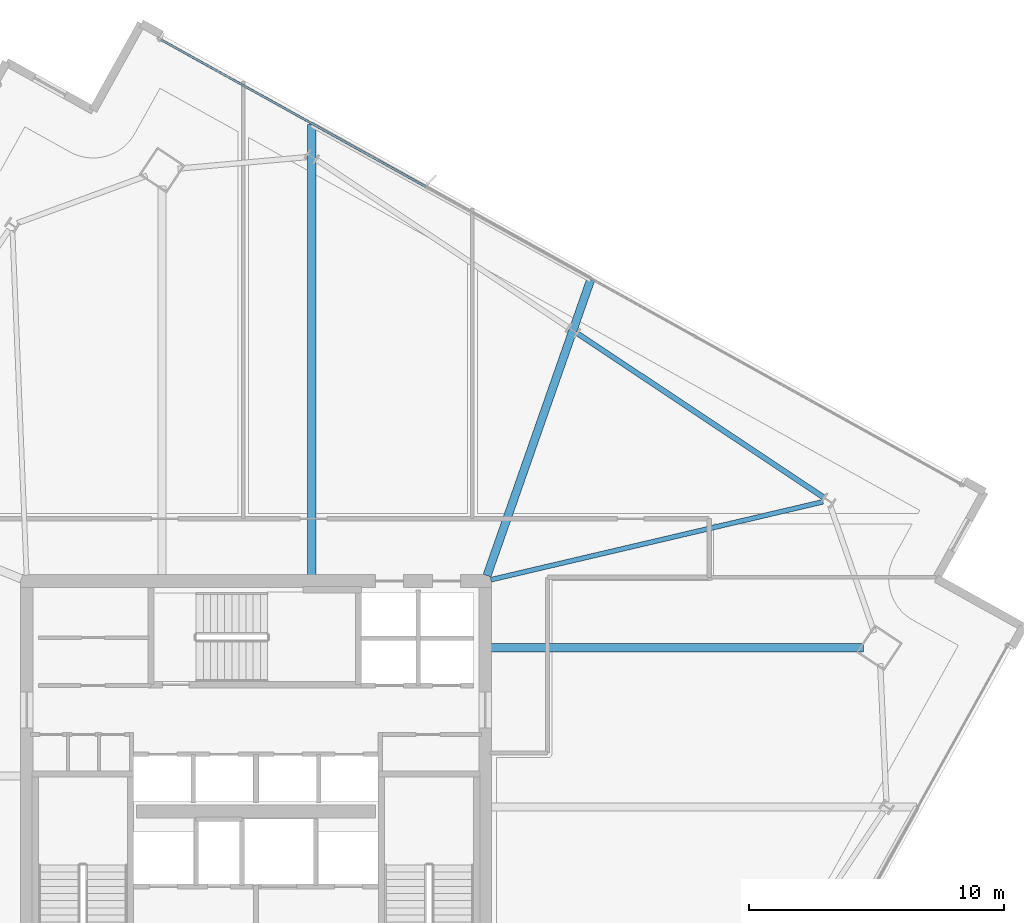
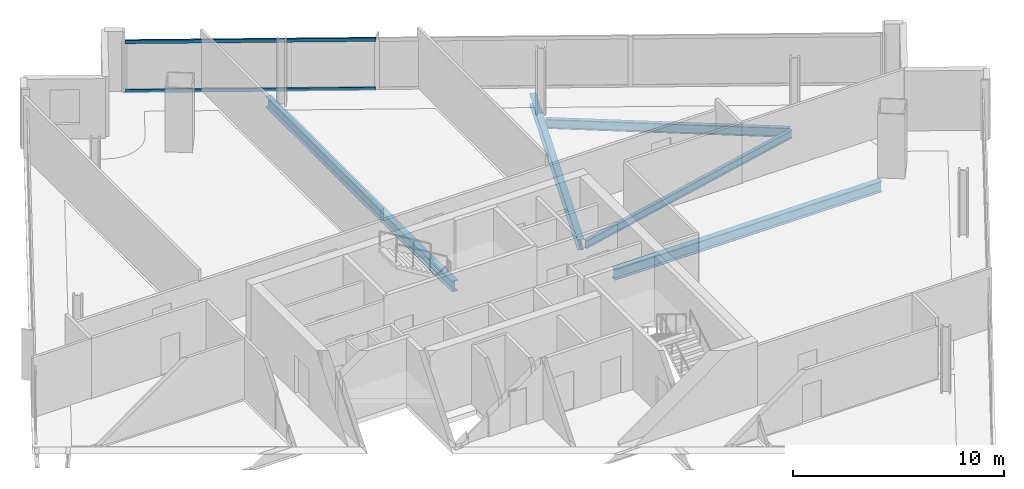
# One storey, part 15 of 28: 5 beams, 2 members, 1 element without a shape of its own.
"""IFC4 building model written with IfcOpenShell, lengths in metres."""

from ifc_helpers import new_model, si_unit, direction, frame, origin, origin_2d, place, context, subcontext, project, spatial, hollow_rectangle, i_section, extrude, material, material_profile, profile_set, type_object, element, aggregate, save


model = new_model("IFC4")

# Units and contexts
model_context = context("Model", 3, precision=1e-05, world=origin(), true_north=direction((0.0, 1.0)))
body_context = subcontext(model_context, "Body", "Model", "MODEL_VIEW")
ifc_project = project(units=[si_unit("LENGTHUNIT", "METRE"), si_unit("AREAUNIT", "SQUARE_METRE"), si_unit("VOLUMEUNIT", "CUBIC_METRE"), si_unit("PLANEANGLEUNIT", "RADIAN"), si_unit("MASSUNIT", "GRAM", prefix="KILO")], contexts=[model_context])

# Site, building, storey
site_placement = place(None, origin())
site = spatial("IfcSite", under=ifc_project, at=site_placement, CompositionType="ELEMENT")
building_placement = place(site_placement, origin())
building = spatial("IfcBuilding", under=site, at=building_placement, Name="Haldenkirk Collegiate Tower", CompositionType="ELEMENT")
storey_placement = place(building_placement, frame((0.0, 0.0, 232.199951171875)))
storey = spatial("IfcBuildingStorey", under=building, at=storey_placement, Name="L58", CompositionType="ELEMENT", Elevation=232.199951171875)

# Beams
ifc_material_1 = material(Name="Steel ASTM A992 Grade 50", Category="steel")
ifc_material_profile_1 = material_profile(ifc_material_1, i_section(OverallWidth=0.324951171875, OverallDepth=0.615966796875, WebThickness=0.013916015625, FlangeThickness=0.021484375, at=origin_2d()), Name="W24X117")
ifc_profile_set_1 = profile_set([ifc_material_profile_1], Name="Steel ASTM A992 Grade 50")
beam_type_1 = type_object("IfcBeamType", Name="BM-GIRDER-W24X117", PredefinedType="BEAM", material=ifc_profile_set_1)
beam_1_placement = place(storey_placement, frame((59.856201171875, 31.3837890625, -0.587890625), z_axis=(-1.0, 0.0, 0.0), x_axis=(0.0, -1.0, 0.0)))
element("IfcBeam", 1, at=beam_1_placement, inside=storey, type_object=beam_type_1, Name="L58 primary floor girder 02", PredefinedType="BEAM", context=body_context, shape_type="SweptSolid", body=[
    extrude(i_section(OverallWidth=0.324951171875, OverallDepth=0.615966796875, WebThickness=0.013916015625, FlangeThickness=0.021484375, at=origin_2d()), origin(), (0.0, 0.0, 1.0), 14.626220703125),
])
beam_2_placement = place(storey_placement, frame((49.14794921875, 45.841796875, -0.587890625), z_axis=(-0.330593209094, -0.943773346785, 0.0), x_axis=(0.943773346785, -0.330593209094, 0.0)))
element("IfcBeam", 2, at=beam_2_placement, inside=storey, type_object=beam_type_1, Name="L58 primary floor girder 09", PredefinedType="BEAM", context=body_context, shape_type="SweptSolid", body=[
    extrude(i_section(OverallWidth=0.324951171875, OverallDepth=0.615966796875, WebThickness=0.013916015625, FlangeThickness=0.021484375, at=origin_2d()), origin(), (0.0, 0.0, 1.0), 12.3173828125),
])
beam_3_placement = place(storey_placement, frame((38.192626953125, 51.927001953125, -0.587890625), z_axis=(0.0, -1.0, 0.0), x_axis=(1.0, 0.0, 0.0)))
element("IfcBeam", 3, at=beam_3_placement, inside=storey, type_object=beam_type_1, Name="L58 primary floor girder 10", PredefinedType="BEAM", context=body_context, shape_type="SweptSolid", body=[
    extrude(i_section(OverallWidth=0.324951171875, OverallDepth=0.615966796875, WebThickness=0.013916015625, FlangeThickness=0.021484375, at=origin_2d()), origin(), (0.0, 0.0, 1.0), 17.697021484375),
])
ifc_material_profile_2 = material_profile(ifc_material_1, i_section(OverallWidth=0.18994140625, OverallDepth=0.45703125, WebThickness=0.009033203125, FlangeThickness=0.014404296875, at=origin_2d()), Name="W18X50")
ifc_profile_set_2 = profile_set([ifc_material_profile_2], Name="Steel ASTM A992 Grade 50")
beam_type_2 = type_object("IfcBeamType", Name="BM-JOIST-W18X50", PredefinedType="JOIST", material=ifc_profile_set_2)
beam_4_placement = place(storey_placement, frame((58.26953125, 37.114013671875, -0.508544921875), z_axis=(-0.973550809881, -0.228470612069, 0.0), x_axis=(0.228470612069, -0.973550809881, 0.0)))
element("IfcBeam", 4, at=beam_4_placement, inside=storey, type_object=beam_type_2, Name="L58 composite floor joist 08", PredefinedType="JOIST", context=body_context, shape_type="SweptSolid", body=[
    extrude(i_section(OverallWidth=0.18994140625, OverallDepth=0.45703125, WebThickness=0.009033203125, FlangeThickness=0.014404296875, at=origin_2d()), origin(), (0.0, 0.0, 1.0), 13.400146484375),
])
ifc_material_profile_3 = material_profile(ifc_material_1, i_section(OverallWidth=0.2099609375, OverallDepth=0.537109375, WebThickness=0.010986328125, FlangeThickness=0.017333984375, at=origin_2d()), Name="W21X68")
ifc_profile_set_3 = profile_set([ifc_material_profile_3], Name="Steel ASTM A992 Grade 50")
beam_type_3 = type_object("IfcBeamType", Name="BM-SPANDREL-W21X68", PredefinedType="SPANDREL", material=ifc_profile_set_3)
beam_5_placement = place(storey_placement, frame((58.30029296875, 37.28369140625, -0.54833984375), z_axis=(-0.832431545828, 0.554127892738, 0.0), x_axis=(-0.554127892738, -0.832431545828, 0.0)))
element("IfcBeam", 5, at=beam_5_placement, inside=storey, type_object=beam_type_3, Name="L58 perimeter spandrel beam 06", PredefinedType="SPANDREL", context=body_context, shape_type="SweptSolid", body=[
    extrude(i_section(OverallWidth=0.2099609375, OverallDepth=0.537109375, WebThickness=0.010986328125, FlangeThickness=0.017333984375, at=origin_2d()), origin(), (0.0, 0.0, 1.0), 11.619140625),
])

# Curtain wall, members
ifc_material_2 = material(Name="Anodised architectural bronze aluminium", Category="aluminium")
curtain_wall_type = type_object("IfcCurtainWallType", Name="CW-SYS1B-CONVEX-HI", PredefinedType="USERDEFINED", material=ifc_material_2)
curtain_wall_placement = place(storey_placement, origin())
curtain_wall = element("IfcCurtainWall", 6, at=curtain_wall_placement, inside=storey, type_object=curtain_wall_type, Name="L58 Upper tower high-wind convex bronze unitised curtain wall", ObjectType="UNITISED CURTAIN WALL", PredefinedType="USERDEFINED")
ifc_material_profile_4 = material_profile(ifc_material_2, hollow_rectangle(XDim=0.0849609375, YDim=0.199951171875, WallThickness=0.0048828125, at=origin_2d()), Name="CW-TRN-1B")
ifc_profile_set_4 = profile_set([ifc_material_profile_4], Name="Anodised architectural bronze aluminium")
member_type = type_object("IfcMemberType", Name="CW-TRN-1B", PredefinedType="USERDEFINED", material=ifc_profile_set_4)
member_1_placement = place(storey_placement, frame((32.274169921875, 55.260009765625, 0.04248046875), z_axis=(0.874207604341, -0.485552329325, 0.0), x_axis=(0.485552329325, 0.874207604341, 0.0)))
member_1 = element("IfcMember", 7, at=member_1_placement, type_object=member_type, Name="CW-1B transom 1.1", ObjectType="TRANSOM", PredefinedType="USERDEFINED", context=body_context, shape_type="SweptSolid", body=[
    extrude(hollow_rectangle(XDim=0.0849609375, YDim=0.199951171875, WallThickness=0.0048828125, at=origin_2d()), origin(), (0.0, 0.0, 1.0), 11.8974609375),
])
member_2_placement = place(storey_placement, frame((32.274169921875, 55.260009765625, 2.885498046875), z_axis=(0.874207604341, -0.485552329325, 0.0), x_axis=(0.485552329325, 0.874207604341, 0.0)))
member_2 = element("IfcMember", 8, at=member_2_placement, type_object=member_type, Name="CW-1B transom 1.2", ObjectType="TRANSOM", PredefinedType="USERDEFINED", context=body_context, shape_type="SweptSolid", body=[
    extrude(hollow_rectangle(XDim=0.0849609375, YDim=0.199951171875, WallThickness=0.0048828125, at=origin_2d()), origin(), (0.0, 0.0, 1.0), 11.8974609375),
])
aggregate(curtain_wall, [member_1, member_2])

save(model, "model.ifc")
